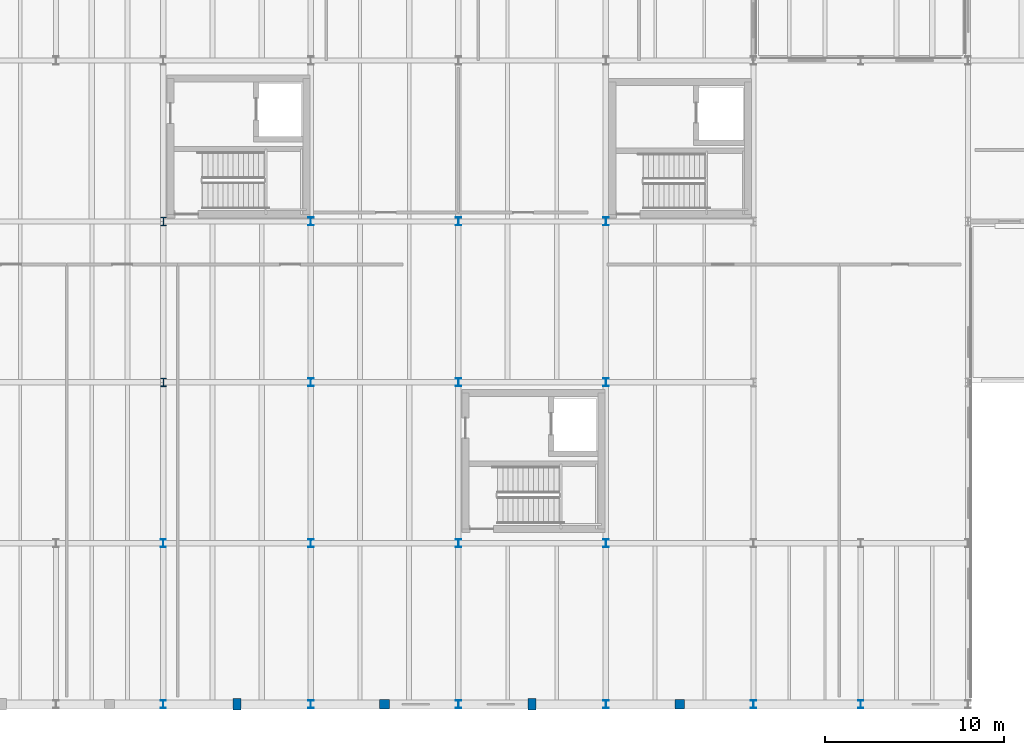
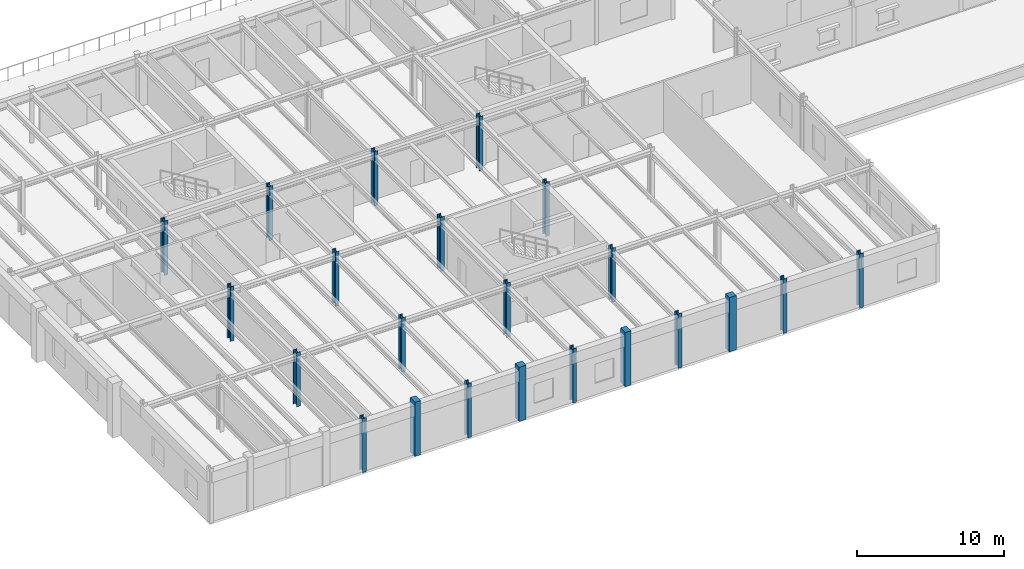
# One storey, part 4 of 64: 22 columns.
"""IFC4 building model written with IfcOpenShell, lengths in metres."""

from ifc_helpers import new_model, si_unit, direction, frame, origin, origin_2d, place, context, subcontext, project, spatial, rectangle, i_section, extrude, material, material_profile, profile_set, type_object, element, save


model = new_model("IFC4")

# Units and contexts
model_context = context("Model", 3, precision=1e-05, world=origin(), true_north=direction((0.0, 1.0)))
body_context = subcontext(model_context, "Body", "Model", "MODEL_VIEW")
ifc_project = project(units=[si_unit("LENGTHUNIT", "METRE"), si_unit("AREAUNIT", "SQUARE_METRE"), si_unit("VOLUMEUNIT", "CUBIC_METRE"), si_unit("PLANEANGLEUNIT", "RADIAN"), si_unit("MASSUNIT", "GRAM", prefix="KILO")], contexts=[model_context])

# Site, building, storey
site_placement = place(None, origin())
site = spatial("IfcSite", under=ifc_project, at=site_placement, CompositionType="ELEMENT")
building_placement = place(site_placement, origin())
building = spatial("IfcBuilding", under=site, at=building_placement, Name="Montealbar Specialist Clinic", CompositionType="ELEMENT")
storey_placement = place(building_placement, frame((0.0, 0.0, 5.10009765625)))
storey = spatial("IfcBuildingStorey", under=building, at=storey_placement, Name="L01", CompositionType="ELEMENT", Elevation=5.10009765625)

# Columns
ifc_material_1 = material(Name="Steel S355", Category="steel")
ifc_material_profile_1 = material_profile(ifc_material_1, i_section(OverallWidth=0.306884765625, OverallDepth=0.47802734375, WebThickness=0.02099609375, FlangeThickness=0.0400390625, FilletRadius=0.027099609375, at=origin_2d()), Name="HEM 450", Category="steel")
ifc_profile_set_1 = profile_set([ifc_material_profile_1], Name="Steel S355")
column_type_1 = type_object("IfcColumnType", Name="COL-S-L01-MEGA", PredefinedType="COLUMN", material=ifc_profile_set_1)
for number, where, z_axis, x_axis, name in (
    (1, (66.0, 18.0, 0.0), (0.0, 0.0, 1.0), (1.0, 0.0, 0.0), "Column 9/C L01"),
    (2, (66.0, 27.0, 0.0), (0.0, 0.0, 1.0), (1.0, 0.0, 0.0), "Column 9/D L01"),
):
    element("IfcColumn", number, at=place(storey_placement, frame(where, z_axis=z_axis, x_axis=x_axis)), inside=storey, type_object=column_type_1, Name=name, PredefinedType="COLUMN", context=body_context, shape_type="SweptSolid", body=[
        extrude(i_section(OverallWidth=0.306884765625, OverallDepth=0.47802734375, WebThickness=0.02099609375, FlangeThickness=0.0400390625, FilletRadius=0.027099609375, at=origin_2d()), origin(), (0.0, 0.0, 1.0), 4.5),
    ])
ifc_material_profile_2 = material_profile(ifc_material_1, i_section(OverallWidth=0.300048828125, OverallDepth=0.449951171875, WebThickness=0.013916015625, FlangeThickness=0.02587890625, FilletRadius=0.027099609375, at=origin_2d()), Name="HEB 450", Category="steel")
ifc_profile_set_2 = profile_set([ifc_material_profile_2], Name="Steel S355")
column_type_2 = type_object("IfcColumnType", Name="COL-S-L01-STD", PredefinedType="COLUMN", material=ifc_profile_set_2)
for number, where, z_axis, x_axis, name in (
    (3, (66.0, 9.0, 0.0), (0.0, 0.0, 1.0), (1.0, 0.0, 0.0), "Column 9/B L01"),
    (4, (74.25, 9.0, 0.0), (0.0, 0.0, 1.0), (1.0, 0.0, 0.0), "Column 10/B L01"),
    (5, (74.25, 18.0, 0.0), (0.0, 0.0, 1.0), (1.0, 0.0, 0.0), "Column 10/C L01"),
    (6, (74.25, 27.0, 0.0), (0.0, 0.0, 1.0), (1.0, 0.0, 0.0), "Column 10/D L01"),
    (7, (82.5, 9.0, 0.0), (0.0, 0.0, 1.0), (1.0, 0.0, 0.0), "Column 11/B L01"),
    (8, (82.5, 18.0, 0.0), (0.0, 0.0, 1.0), (1.0, 0.0, 0.0), "Column 11/C L01"),
    (9, (82.5, 27.0, 0.0), (0.0, 0.0, 1.0), (1.0, 0.0, 0.0), "Column 11/D L01"),
    (10, (90.75, 9.0, 0.0), (0.0, 0.0, 1.0), (1.0, 0.0, 0.0), "Column 12/B L01"),
    (11, (90.75, 18.0, 0.0), (0.0, 0.0, 1.0), (1.0, 0.0, 0.0), "Column 12/C L01"),
    (12, (90.75, 27.0, 0.0), (0.0, 0.0, 1.0), (1.0, 0.0, 0.0), "Column 12/D L01"),
):
    element("IfcColumn", number, at=place(storey_placement, frame(where, z_axis=z_axis, x_axis=x_axis)), inside=storey, type_object=column_type_2, Name=name, PredefinedType="COLUMN", context=body_context, shape_type="SweptSolid", body=[
        extrude(i_section(OverallWidth=0.300048828125, OverallDepth=0.449951171875, WebThickness=0.013916015625, FlangeThickness=0.02587890625, FilletRadius=0.027099609375, at=origin_2d()), origin(), (0.0, 0.0, 1.0), 4.5),
    ])
ifc_material_profile_3 = material_profile(ifc_material_1, i_section(OverallWidth=0.300048828125, OverallDepth=0.449951171875, WebThickness=0.013916015625, FlangeThickness=0.02587890625, FilletRadius=0.027099609375, at=origin_2d()), Name="HEB 450", Category="steel")
ifc_profile_set_3 = profile_set([ifc_material_profile_3], Name="Steel S355")
column_type_3 = type_object("IfcColumnType", Name="COL-S-L01-STD-EXT", PredefinedType="COLUMN", material=ifc_profile_set_3)
for number, where, z_axis, x_axis, name in (
    (13, (66.0, 0.0, 0.0), (0.0, 0.0, 1.0), (1.0, 0.0, 0.0), "Column 9/A L01"),
    (14, (74.25, 0.0, 0.0), (0.0, 0.0, 1.0), (1.0, 0.0, 0.0), "Column 10/A L01"),
    (15, (82.5, 0.0, 0.0), (0.0, 0.0, 1.0), (1.0, 0.0, 0.0), "Column 11/A L01"),
    (16, (90.75, 0.0, 0.0), (0.0, 0.0, 1.0), (1.0, 0.0, 0.0), "Column 12/A L01"),
    (17, (99.0, 0.0, 0.0), (0.0, 0.0, 1.0), (1.0, 0.0, 0.0), "Column 13/A L01"),
    (18, (105.0, 0.0, 0.0), (0.0, 0.0, 1.0), (1.0, 0.0, 0.0), "Column 14/A L01"),
):
    element("IfcColumn", number, at=place(storey_placement, frame(where, z_axis=z_axis, x_axis=x_axis)), inside=storey, type_object=column_type_3, Name=name, PredefinedType="COLUMN", context=body_context, shape_type="SweptSolid", body=[
        extrude(i_section(OverallWidth=0.300048828125, OverallDepth=0.449951171875, WebThickness=0.013916015625, FlangeThickness=0.02587890625, FilletRadius=0.027099609375, at=origin_2d()), origin(), (0.0, 0.0, 1.0), 4.5),
    ])
ifc_material_2 = material(Name="Guadarrama granite ashlar", Category="masonry")
ifc_material_profile_4 = material_profile(ifc_material_2, rectangle(XDim=0.449951171875, YDim=0.64990234375, at=origin_2d()), Name="GRANITE PILASTER 450x650", Category="masonry")
ifc_profile_set_4 = profile_set([ifc_material_profile_4], Name="Guadarrama granite ashlar")
column_type_4 = type_object("IfcColumnType", Name="PIL-GRANITE-A", PredefinedType="PILASTER", material=ifc_profile_set_4)
for number, where, z_axis, x_axis, name in (
    (19, (70.125, 0.0, 0.0), (0.0, 0.0, 1.0), (1.0, 0.0, 0.0), "Column P3/A L01"),
    (20, (86.625, 0.0, 0.0), (0.0, 0.0, 1.0), (1.0, 0.0, 0.0), "Column P5/A L01"),
):
    element("IfcColumn", number, at=place(storey_placement, frame(where, z_axis=z_axis, x_axis=x_axis)), inside=storey, type_object=column_type_4, Name=name, PredefinedType="PILASTER", context=body_context, shape_type="SweptSolid", body=[
        extrude(rectangle(XDim=0.449951171875, YDim=0.64990234375, at=origin_2d()), origin(), (0.0, 0.0, 1.0), 4.5),
    ])
ifc_material_profile_5 = material_profile(ifc_material_2, rectangle(XDim=0.550048828125, YDim=0.550048828125, at=origin_2d()), Name="GRANITE PILASTER 550x550", Category="masonry")
ifc_profile_set_5 = profile_set([ifc_material_profile_5], Name="Guadarrama granite ashlar")
column_type_5 = type_object("IfcColumnType", Name="PIL-GRANITE-B", PredefinedType="PILASTER", material=ifc_profile_set_5)
for number, where, z_axis, x_axis, name in (
    (21, (78.375, 0.0, 0.0), (0.0, 0.0, 1.0), (1.0, 0.0, 0.0), "Column P4/A L01"),
    (22, (94.875, 0.0, 0.0), (0.0, 0.0, 1.0), (1.0, 0.0, 0.0), "Column P6/A L01"),
):
    element("IfcColumn", number, at=place(storey_placement, frame(where, z_axis=z_axis, x_axis=x_axis)), inside=storey, type_object=column_type_5, Name=name, PredefinedType="PILASTER", context=body_context, shape_type="SweptSolid", body=[
        extrude(rectangle(XDim=0.550048828125, YDim=0.550048828125, at=origin_2d()), origin(), (0.0, 0.0, 1.0), 4.5),
    ])

save(model, "model.ifc")
